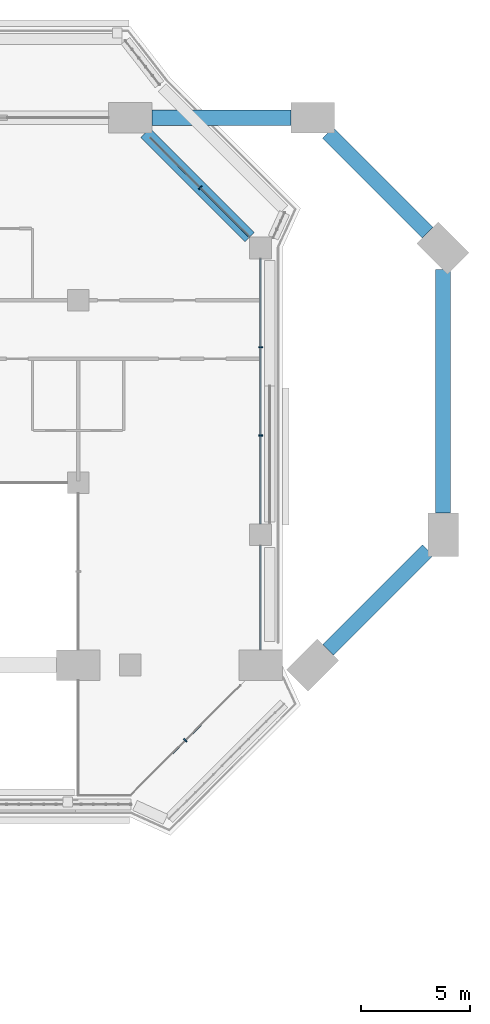
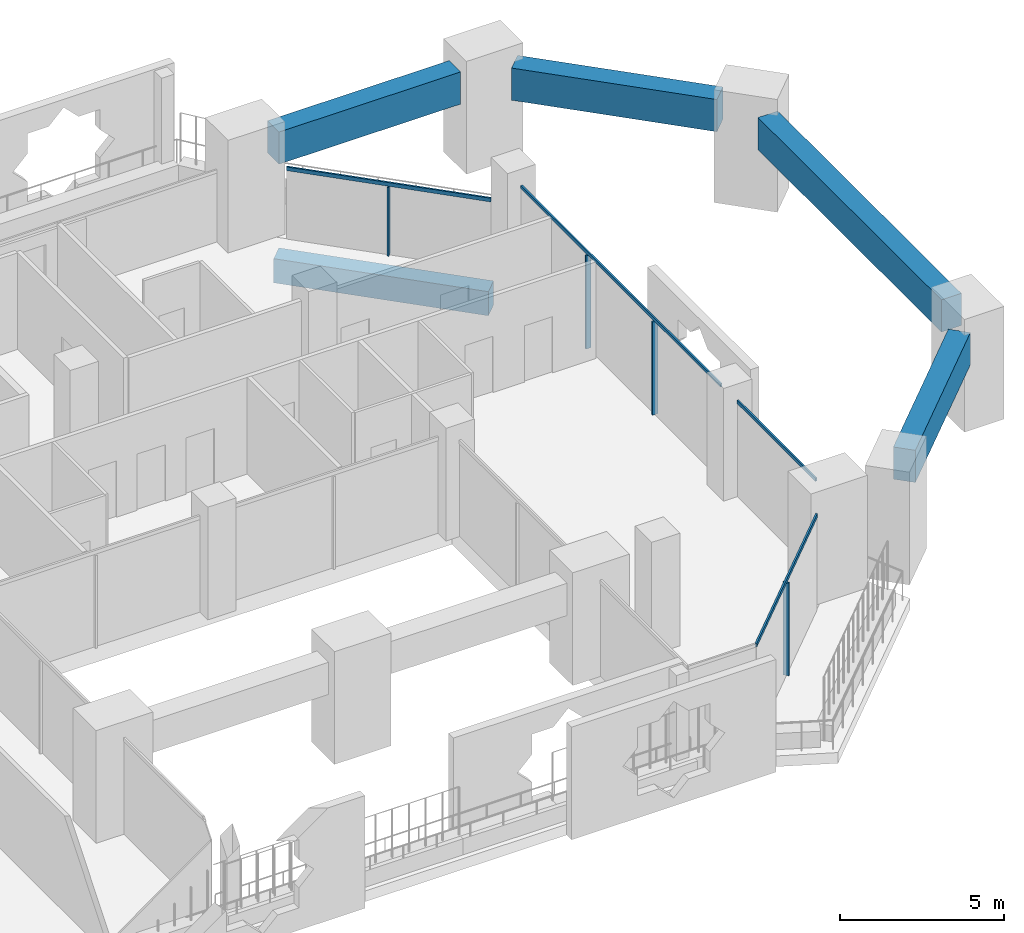
# One storey, part 8 of 23: 8 members, 5 beams, 3 elements without a shape of their own.
"""IFC4 building model written with IfcOpenShell, lengths in metres."""

from ifc_helpers import new_model, si_unit, direction, frame, origin, origin_2d, place, context, subcontext, project, spatial, rectangle, extrude, material, layer, layer_set, material_profile, profile_set, type_object, element, aggregate, save


model = new_model("IFC4")

# Units and contexts
model_context = context("Model", 3, precision=1e-05, world=origin(), true_north=direction((0.0, 1.0)))
body_context = subcontext(model_context, "Body", "Model", "MODEL_VIEW")
ifc_project = project(units=[si_unit("LENGTHUNIT", "METRE"), si_unit("AREAUNIT", "SQUARE_METRE"), si_unit("VOLUMEUNIT", "CUBIC_METRE"), si_unit("PLANEANGLEUNIT", "RADIAN"), si_unit("MASSUNIT", "GRAM", prefix="KILO")], contexts=[model_context])

# Site, building, storey
site_placement = place(None, origin())
site = spatial("IfcSite", under=ifc_project, at=site_placement, CompositionType="ELEMENT")
building_placement = place(site_placement, origin())
building = spatial("IfcBuilding", under=site, at=building_placement, Name="Kawkab Arch Medical Tower", CompositionType="ELEMENT")
storey_placement = place(building_placement, frame((0.0, 0.0, 166.800048828125)))
storey = spatial("IfcBuildingStorey", under=building, at=storey_placement, Name="L38", CompositionType="ELEMENT", Elevation=166.800048828125)

# Curtain wall, members
ifc_material_1 = material(Name="Bronze anodised aluminium curtain wall frame", Category="aluminium")
ifc_layer_1 = layer(ifc_material_1, 0.159912109375)
ifc_layer_set_1 = layer_set([ifc_layer_1], Name="Bronze anodised aluminium curtain wall frame")
curtain_wall_type_1 = type_object("IfcCurtainWallType", Name="CW1 ward curtain wall", PredefinedType="NOTDEFINED", material=ifc_layer_set_1)
placement = place(storey_placement, origin())
curtain_wall_1 = element("IfcCurtainWall", 1, at=placement, inside=storey, type_object=curtain_wall_type_1, Name="CW1 Ward curtain wall R07", PredefinedType="NOTDEFINED")
ifc_material_2 = material(Name="Bronze anodised aluminium curtain wall frame", Category="aluminium")
ifc_material_profile_1 = material_profile(ifc_material_2, rectangle(XDim=0.179931640625, YDim=0.06005859375, at=origin_2d()), Name="AL 60x180")
ifc_profile_set_1 = profile_set([ifc_material_profile_1], Name="Bronze anodised aluminium curtain wall frame")
member_type_1 = type_object("IfcMemberType", Name="CW1 mullion 60 x 180", PredefinedType="MULLION", material=ifc_profile_set_1)
member_1_placement = place(storey_placement, frame((67.199951171875, -14.63330078125, 0.0), z_axis=(0.0, 0.0, 1.0), x_axis=(-1.0, 0.0, 0.0)))
member_1 = element("IfcMember", 2, at=member_1_placement, type_object=member_type_1, Name="CW1 mullion 2.1", PredefinedType="MULLION", context=body_context, shape_type="SweptSolid", body=[
    extrude(rectangle(XDim=0.179931640625, YDim=0.06005859375, at=origin_2d()), origin(), (0.0, 0.0, 1.0), 3.47998046875),
])
member_2_placement = place(storey_placement, frame((67.199951171875, -10.566650390625, 0.0), z_axis=(0.0, 0.0, 1.0), x_axis=(-1.0, 0.0, 0.0)))
member_2 = element("IfcMember", 3, at=member_2_placement, type_object=member_type_1, Name="CW1 mullion 2.2", PredefinedType="MULLION", context=body_context, shape_type="SweptSolid", body=[
    extrude(rectangle(XDim=0.179931640625, YDim=0.06005859375, at=origin_2d()), origin(), (0.0, 0.0, 1.0), 3.47998046875),
])
ifc_material_3 = material(Name="Bronze anodised aluminium curtain wall frame", Category="aluminium")
ifc_material_profile_2 = material_profile(ifc_material_3, rectangle(XDim=0.06005859375, YDim=0.1201171875, at=origin_2d()), Name="AL 60x120")
ifc_profile_set_2 = profile_set([ifc_material_profile_2], Name="Bronze anodised aluminium curtain wall frame")
member_type_2 = type_object("IfcMemberType", Name="CW1 transom 120 x 60", PredefinedType="USERDEFINED", material=ifc_profile_set_2)
member_3_placement = place(storey_placement, frame((67.199951171875, -24.5, 3.5400390625), z_axis=(0.0, 1.0, 0.0), x_axis=(-1.0, 0.0, 0.0)))
member_3 = element("IfcMember", 4, at=member_3_placement, type_object=member_type_2, Name="CW1 transom 1", ObjectType="TRANSOM", PredefinedType="USERDEFINED", context=body_context, shape_type="SweptSolid", body=[
    extrude(rectangle(XDim=0.06005859375, YDim=0.1201171875, at=origin_2d()), origin(), (0.0, 0.0, 1.0), 4.800048828125),
])
member_4_placement = place(storey_placement, frame((67.199951171875, -18.699951171875, 3.5400390625), z_axis=(0.0, 1.0, 0.0), x_axis=(-1.0, 0.0, 0.0)))
member_4 = element("IfcMember", 5, at=member_4_placement, type_object=member_type_2, Name="CW1 transom 2", ObjectType="TRANSOM", PredefinedType="USERDEFINED", context=body_context, shape_type="SweptSolid", body=[
    extrude(rectangle(XDim=0.06005859375, YDim=0.1201171875, at=origin_2d()), origin(), (0.0, 0.0, 1.0), 12.199951171875),
])
aggregate(curtain_wall_1, [member_3, member_4, member_1, member_2])

# Curtain wall, member
ifc_material_4 = material(Name="Bronze anodised aluminium curtain wall frame", Category="aluminium")
ifc_layer_2 = layer(ifc_material_4, 0.159912109375)
ifc_layer_set_2 = layer_set([ifc_layer_2], Name="Bronze anodised aluminium curtain wall frame")
curtain_wall_type_2 = type_object("IfcCurtainWallType", Name="CW2 chamfer curtain wall", PredefinedType="NOTDEFINED", material=ifc_layer_set_2)
curtain_wall_2 = element("IfcCurtainWall", 6, at=placement, inside=storey, type_object=curtain_wall_type_2, Name="CW2 Chamfer curtain wall R06", PredefinedType="NOTDEFINED")
ifc_material_5 = material(Name="Bronze anodised aluminium curtain wall frame", Category="aluminium")
ifc_material_profile_3 = material_profile(ifc_material_5, rectangle(XDim=0.199951171875, YDim=0.06005859375, at=origin_2d()), Name="AL 60x200")
ifc_profile_set_3 = profile_set([ifc_material_profile_3], Name="Bronze anodised aluminium curtain wall frame")
member_type_3 = type_object("IfcMemberType", Name="CW2 mullion 60 x 200", PredefinedType="MULLION", material=ifc_profile_set_3)
member_5_placement = place(storey_placement, frame((63.73486328125, -28.665283203125, 0.0), z_axis=(0.0, 0.0, 1.0), x_axis=(-0.707106781187, 0.707106781187, 0.0)))
member_5 = element("IfcMember", 7, at=member_5_placement, type_object=member_type_3, Name="CW2 mullion 1.1", PredefinedType="MULLION", context=body_context, shape_type="SweptSolid", body=[
    extrude(rectangle(XDim=0.199951171875, YDim=0.06005859375, at=origin_2d()), origin(), (0.0, 0.0, 1.0), 3.4599609375),
])

curtain_wall_3 = element("IfcCurtainWall", 8, at=placement, inside=storey, type_object=curtain_wall_type_2, Name="CW2 Chamfer curtain wall R08", PredefinedType="NOTDEFINED")
member_6_placement = place(storey_placement, frame((64.415283203125, -3.215087890625, 0.0), z_axis=(0.0, 0.0, 1.0), x_axis=(-0.707106781187, -0.707106781187, 0.0)))
member_6 = element("IfcMember", 9, at=member_6_placement, type_object=member_type_3, Name="CW2 mullion 1.1", PredefinedType="MULLION", context=body_context, shape_type="SweptSolid", body=[
    extrude(rectangle(XDim=0.199951171875, YDim=0.06005859375, at=origin_2d()), origin(), (0.0, 0.0, 1.0), 2.56005859375),
])

# Member
ifc_material_6 = material(Name="Bronze anodised aluminium curtain wall frame", Category="aluminium")
ifc_material_profile_4 = material_profile(ifc_material_6, rectangle(XDim=0.06005859375, YDim=0.139892578125, at=origin_2d()), Name="AL 60x140")
ifc_profile_set_4 = profile_set([ifc_material_profile_4], Name="Bronze anodised aluminium curtain wall frame")
member_type_4 = type_object("IfcMemberType", Name="CW2 transom 140 x 60", PredefinedType="USERDEFINED", material=ifc_profile_set_4)
member_7_placement = place(storey_placement, frame((61.199951171875, -31.199951171875, 3.530029296875), z_axis=(0.707123806981, 0.707089754982, 0.0), x_axis=(-0.707089754982, 0.707123806981, 0.0)))
member_7 = element("IfcMember", 10, at=member_7_placement, type_object=member_type_4, Name="CW2 transom 1", ObjectType="TRANSOM", PredefinedType="USERDEFINED", context=body_context, shape_type="SweptSolid", body=[
    extrude(rectangle(XDim=0.06005859375, YDim=0.139892578125, at=origin_2d()), origin(), (0.0, 0.0, 1.0), 7.169677734375),
])

aggregate(curtain_wall_2, [member_7, member_5])

member_8_placement = place(storey_placement, frame((66.699951171875, -5.5, 2.6298828125), z_axis=(-0.707106781187, 0.707106781187, 0.0), x_axis=(-0.707106781187, -0.707106781187, 0.0)))
member_8 = element("IfcMember", 11, at=member_8_placement, type_object=member_type_4, Name="CW2 transom 1", ObjectType="TRANSOM", PredefinedType="USERDEFINED", context=body_context, shape_type="SweptSolid", body=[
    extrude(rectangle(XDim=0.06005859375, YDim=0.139892578125, at=origin_2d()), origin(), (0.0, 0.0, 1.0), 6.46240234375),
])

aggregate(curtain_wall_3, [member_8, member_6])

# Beams
ifc_material_7 = material(Name="Concrete C50/60", Category="concrete")
ifc_material_profile_5 = material_profile(ifc_material_7, rectangle(XDim=0.60009765625, YDim=0.89990234375, at=origin_2d()), Name="RC 600x900")
ifc_profile_set_5 = profile_set([ifc_material_profile_5], Name="Concrete C50/60")
beam_type_1 = type_object("IfcBeamType", Name="RC 600x900 beam C50/60", PredefinedType="BEAM", material=ifc_profile_set_5)
beam_1_placement = place(storey_placement, frame((61.89990234375, -0.699951171875, -1.050048828125), z_axis=(0.707106781187, -0.707106781187, 0.0), x_axis=(0.707106781187, 0.707106781187, 0.0)))
element("IfcBeam", 12, at=beam_1_placement, inside=storey, type_object=beam_type_1, Name="Overhang edge beam L38-08", PredefinedType="BEAM", context=body_context, shape_type="SweptSolid", body=[
    extrude(rectangle(XDim=0.60009765625, YDim=0.89990234375, at=origin_2d()), origin(), (0.0, 0.0, 1.0), 6.788330078125),
])
ifc_material_8 = material(Name="Concrete C50/60", Category="concrete")
ifc_material_profile_6 = material_profile(ifc_material_8, rectangle(XDim=0.699951171875, YDim=1.199951171875, at=origin_2d()), Name="RC 700x1200")
ifc_profile_set_6 = profile_set([ifc_material_profile_6], Name="Concrete C50/60")
beam_type_2 = type_object("IfcBeamType", Name="RC 700x1200 beam C50/60", PredefinedType="BEAM", material=ifc_profile_set_6)
beam_2_placement = place(storey_placement, frame((62.199951171875, 0.0, 3.0), z_axis=(1.0, 0.0, 0.0), x_axis=(0.0, 1.0, 0.0)))
element("IfcBeam", 13, at=beam_2_placement, inside=storey, type_object=beam_type_2, Name="Terrace frame beam TF-L36-1-L39-01", PredefinedType="BEAM", context=body_context, shape_type="SweptSolid", body=[
    extrude(rectangle(XDim=0.699951171875, YDim=1.199951171875, at=origin_2d()), origin(), (0.0, 0.0, 1.0), 6.400146484375),
])
beam_3_placement = place(storey_placement, frame((70.300048828125, -0.699951171875, 3.0), z_axis=(0.707087987401, -0.707125574473, 0.0), x_axis=(0.707125574473, 0.707087987401, 0.0)))
element("IfcBeam", 14, at=beam_3_placement, inside=storey, type_object=beam_type_2, Name="Terrace frame beam TF-L36-1-L39-02", PredefinedType="BEAM", context=body_context, shape_type="SweptSolid", body=[
    extrude(rectangle(XDim=0.699951171875, YDim=1.199951171875, at=origin_2d()), origin(), (0.0, 0.0, 1.0), 6.495361328125),
])
beam_4_placement = place(storey_placement, frame((75.60009765625, -6.989990234375, 3.0), z_axis=(0.0, -1.0, 0.0), x_axis=(1.0, 0.0, 0.0)))
element("IfcBeam", 15, at=beam_4_placement, inside=storey, type_object=beam_type_2, Name="Terrace frame beam TF-L36-1-L39-03", PredefinedType="BEAM", context=body_context, shape_type="SweptSolid", body=[
    extrude(rectangle(XDim=0.699951171875, YDim=1.199951171875, at=origin_2d()), origin(), (0.0, 0.0, 1.0), 11.2099609375),
])
beam_5_placement = place(storey_placement, frame((74.89990234375, -19.89990234375, 3.0), z_axis=(-0.707087987401, -0.707125574473, 0.0), x_axis=(0.707125574473, -0.707087987401, 0.0)))
element("IfcBeam", 16, at=beam_5_placement, inside=storey, type_object=beam_type_2, Name="Terrace frame beam TF-L36-1-L39-04", PredefinedType="BEAM", context=body_context, shape_type="SweptSolid", body=[
    extrude(rectangle(XDim=0.699951171875, YDim=1.199951171875, at=origin_2d()), origin(), (0.0, 0.0, 1.0), 6.495361328125),
])

save(model, "model.ifc")
